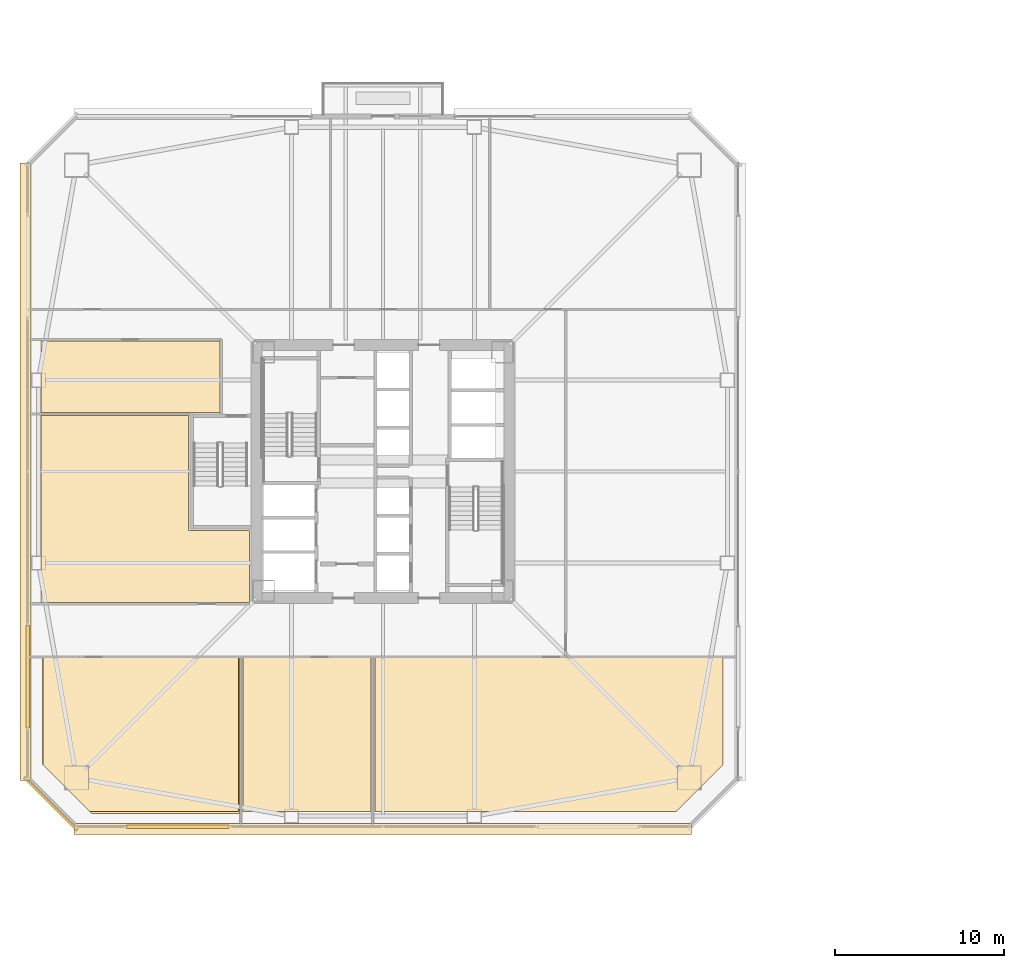
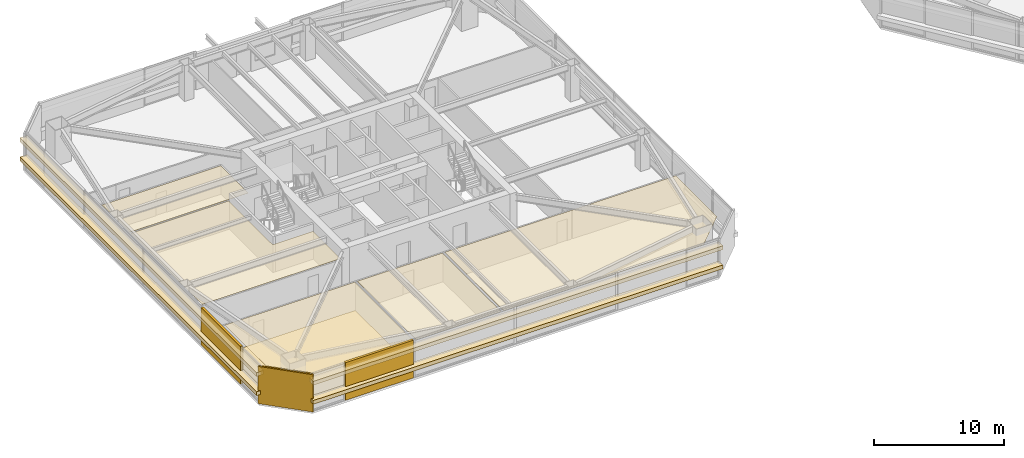
# One storey, part 43 of 48: 13 coverings.
"""IFC4 building model written with IfcOpenShell, lengths in metres."""

import ifcopenshell
import ifcopenshell.guid

model = None  # the IFC model being written
_history = None  # IfcOwnerHistory: only IFC2X3 demands one
_inside = {}  # id of a spatial element -> (the spatial element, [elements in it])
_under = {}  # id of a project, library or spatial element -> (it, [spatial elements below it])
_declared = {}  # id of a project -> (the project, [libraries it declares])
_typed = {}  # id of a type object -> (the type object, [elements of that type])
_made_of = {}  # id of a material, layer set ... -> (it, [elements and type objects made of it])


def new_model(schema):
    """Start an empty IFC model of exactly this schema.

    Asked for "IFC4X3", IfcOpenShell would pick the latest addendum, in which some entities
    have other attributes; the version numbers below select the first issue.
    IFC2X3 requires an IfcOwnerHistory on every rooted entity: one is made here for all.
    """
    global model, _history
    if schema == "IFC4X3":
        model = ifcopenshell.file(schema_version=(4, 3, 0, 0))
    else:
        model = ifcopenshell.file(schema=schema)
    _inside.clear()
    _under.clear()
    _declared.clear()
    _typed.clear()
    _made_of.clear()
    _history = None
    if model.schema == "IFC2X3":
        org = make("IfcOrganization", Name="unknown")
        user = make(
            "IfcPersonAndOrganization",
            ThePerson=make("IfcPerson", FamilyName="unknown"),
            TheOrganization=org,
        )
        app = make(
            "IfcApplication",
            ApplicationDeveloper=org,
            Version="unknown",
            ApplicationFullName="unknown",
            ApplicationIdentifier="unknown",
        )
        _history = make(
            "IfcOwnerHistory",
            OwningUser=user,
            OwningApplication=app,
            ChangeAction="ADDED",
            CreationDate=0,
        )
    return model


def make(cls, **values):
    """One entity of the class cls with the attributes given. An attribute that is None is left unset."""
    return model.create_entity(
        cls, **{name: value for name, value in values.items() if value is not None}
    )


def rooted(cls, **values):
    """An entity with a GlobalId (a new one), such as an element, a storey or a relation."""
    return make(cls, GlobalId=ifcopenshell.guid.new(), OwnerHistory=_history, **values)


def si_unit(unit_type, name, prefix=None):
    """IfcSIUnit, for example si_unit("LENGTHUNIT", "METRE", prefix="MILLI")."""
    return make("IfcSIUnit", UnitType=unit_type, Prefix=prefix, Name=name)


def assignment(units):
    """IfcUnitAssignment: the units of a project."""
    return None if units is None else make("IfcUnitAssignment", Units=units)


def point(xyz):
    """IfcCartesianPoint."""
    return None if xyz is None else make("IfcCartesianPoint", Coordinates=xyz)


def direction(xyz):
    """IfcDirection."""
    return None if xyz is None else make("IfcDirection", DirectionRatios=xyz)


def frame(location, z_axis=None, x_axis=None):
    """IfcAxis2Placement3D, a coordinate frame: its origin and axes. An axis left out is left unset."""
    return make(
        "IfcAxis2Placement3D",
        Location=point(location),
        Axis=direction(z_axis),
        RefDirection=direction(x_axis),
    )


def frame_2d(location, x_axis=None):
    """IfcAxis2Placement2D, a coordinate frame in the plane: its origin and x axis."""
    return make(
        "IfcAxis2Placement2D", Location=point(location), RefDirection=direction(x_axis)
    )


def origin():
    """The frame at (0, 0, 0) with its axes left unset."""
    return frame((0.0, 0.0, 0.0))


def origin_2d():
    """The frame at (0, 0) in the plane with its x axis left unset."""
    return frame_2d((0.0, 0.0))


def place(relative_to, where):
    """IfcLocalPlacement: puts the frame where relative to a parent placement (None: the world)."""
    return make(
        "IfcLocalPlacement", PlacementRelTo=relative_to, RelativePlacement=where
    )


def context(
    kind, dimensions, precision=None, world=None, true_north=None, identifier=None
):
    """IfcGeometricRepresentationContext, for example the 3D "Model" context."""
    return make(
        "IfcGeometricRepresentationContext",
        ContextIdentifier=identifier,
        ContextType=kind,
        CoordinateSpaceDimension=dimensions,
        Precision=precision,
        WorldCoordinateSystem=world,
        TrueNorth=true_north,
    )


def subcontext(parent, identifier, kind, view, scale=None):
    """IfcGeometricRepresentationSubContext, for example "Body" below "Model"."""
    return make(
        "IfcGeometricRepresentationSubContext",
        ContextIdentifier=identifier,
        ContextType=kind,
        ParentContext=parent,
        TargetScale=scale,
        TargetView=view,
    )


def project(units=None, contexts=None):
    """IfcProject with its units and contexts."""
    return rooted(
        "IfcProject",
        Name="project",
        RepresentationContexts=contexts,
        UnitsInContext=assignment(units),
    )


def spatial(cls, under=None, at=None, **own):
    """A site, building, storey or space (cls), placed at a placement, below another one or the project."""
    s = rooted(cls, ObjectPlacement=at, **own)
    if under is not None:
        _under.setdefault(under.id(), (under, []))[1].append(s)
    return s


def polyline(points):
    """IfcPolyline through the points."""
    return make("IfcPolyline", Points=[point(p) for p in points])


def profile(cls, at=None, kind="AREA", **sizes):
    """A parametric profile (cls). Its sizes go by their IFC names, for example OverallWidth=200.0."""
    return make(cls, ProfileType=kind, Position=at, **sizes)


def rectangle(**sizes):
    """IfcRectangleProfileDef."""
    return profile("IfcRectangleProfileDef", **sizes)


def outline(outer, holes=None, kind="AREA"):
    """IfcArbitraryClosedProfileDef: a profile drawn as a closed curve; with holes, ...WithVoids."""
    if holes is None:
        return make("IfcArbitraryClosedProfileDef", ProfileType=kind, OuterCurve=outer)
    return make(
        "IfcArbitraryProfileDefWithVoids",
        ProfileType=kind,
        OuterCurve=outer,
        InnerCurves=holes,
    )


def extrude(swept, where, along, depth):
    """IfcExtrudedAreaSolid: the profile swept, set in the frame where, extruded along a direction by depth."""
    return make(
        "IfcExtrudedAreaSolid",
        SweptArea=swept,
        Position=where,
        ExtrudedDirection=direction(along),
        Depth=depth,
    )


def shape(context_of_items, identifier, shape_type, items):
    """IfcShapeRepresentation: the items that make up one representation, for example the "Body"."""
    return make(
        "IfcShapeRepresentation",
        ContextOfItems=context_of_items,
        RepresentationIdentifier=identifier,
        RepresentationType=shape_type,
        Items=items,
    )


def material(Name=None, Category=None):
    """IfcMaterial."""
    return make("IfcMaterial", Name=Name, Category=Category)


def layer(
    of_material, thickness, ventilated=None, Name=None, Category=None, Priority=None
):
    """IfcMaterialLayer: one layer of a wall or slab, of a material (None: an air gap)."""
    return make(
        "IfcMaterialLayer",
        Material=of_material,
        LayerThickness=thickness,
        IsVentilated=ventilated,
        Name=Name,
        Category=Category,
        Priority=Priority,
    )


def layer_set(layers, Name=None):
    """IfcMaterialLayerSet."""
    return make("IfcMaterialLayerSet", MaterialLayers=layers, LayerSetName=Name)


def made_of(thing, what):
    """Note that an element or type object is made of a material, layer set ...; save() writes the relation."""
    if what is not None:
        _made_of.setdefault(what.id(), (what, []))[1].append(thing)
    return thing


def type_object(cls, material=None, **own):
    """A type object (cls), such as IfcWallType, which elements share."""
    return made_of(rooted(cls, **own), material)


def element(
    cls,
    number,
    at=None,
    inside=None,
    cuts=None,
    type_object=None,
    material=None,
    context=None,
    identifier="Body",
    shape_type=None,
    held_by="IfcProductDefinitionShape",
    body=None,
    shapes=None,
    **own,
):
    """One element of the class cls, such as IfcWall. Its Tag is "e" and its number.

    at: its placement. inside: the storey or other place that contains it. cuts: it is an
    opening in that element (IfcRelVoidsElement). A single representation is given by context,
    identifier, shape_type and body (its items); several are given by shapes. held_by: the class
    of the entity that holds the representations. save() writes the other relations.
    """
    e = rooted(cls, Tag="e%d" % number, ObjectPlacement=at, **own)
    if body is not None:
        shapes = [shape(context, identifier, shape_type, body)]
    if shapes is not None:
        e.Representation = make(held_by, Representations=shapes)
    if inside is not None:
        _inside.setdefault(inside.id(), (inside, []))[1].append(e)
    if cuts is not None:
        rooted(
            "IfcRelVoidsElement", RelatingBuildingElement=cuts, RelatedOpeningElement=e
        )
    if type_object is not None:
        _typed.setdefault(type_object.id(), (type_object, []))[1].append(e)
    return made_of(e, material)


def aggregate(whole, parts):
    """IfcRelAggregates: a whole, such as a stair, and the parts it consists of."""
    return rooted("IfcRelAggregates", RelatingObject=whole, RelatedObjects=parts)


def save(model, path):
    """Write the relations noted so far, then the file.

    IfcRelAggregates (storeys below a building ...), IfcRelContainedInSpatialStructure (elements
    in a storey), IfcRelDefinesByType, IfcRelAssociatesMaterial and IfcRelDeclares: one each for
    every whole, place, type object, material and project.
    """
    for whole, parts in _under.values():
        aggregate(whole, parts)
    for where, things in _inside.values():
        rooted(
            "IfcRelContainedInSpatialStructure",
            RelatedElements=things,
            RelatingStructure=where,
        )
    for kind, things in _typed.values():
        rooted("IfcRelDefinesByType", RelatedObjects=things, RelatingType=kind)
    for what, things in _made_of.values():
        rooted("IfcRelAssociatesMaterial", RelatedObjects=things, RelatingMaterial=what)
    for by, libraries in _declared.values():
        rooted("IfcRelDeclares", RelatingContext=by, RelatedDefinitions=libraries)
    model.write(path)


model = new_model("IFC4")

# Units and contexts
model_context = context("Model", 3, precision=1e-05, world=origin(), true_north=direction((0.0, 1.0)))
body_context = subcontext(model_context, "Body", "Model", "MODEL_VIEW")
ifc_project = project(units=[si_unit("LENGTHUNIT", "METRE"), si_unit("AREAUNIT", "SQUARE_METRE"), si_unit("VOLUMEUNIT", "CUBIC_METRE"), si_unit("PLANEANGLEUNIT", "RADIAN"), si_unit("MASSUNIT", "GRAM", prefix="KILO")], contexts=[model_context])

# Site, building, storey
site_placement = place(None, origin())
site = spatial("IfcSite", under=ifc_project, at=site_placement, CompositionType="ELEMENT")
building_placement = place(site_placement, origin())
building = spatial("IfcBuilding", under=site, at=building_placement, Name="Tashvorn Skyway Center", CompositionType="ELEMENT")
storey_placement = place(building_placement, frame((0.0, 0.0, 77.85009765625)))
storey = spatial("IfcBuildingStorey", under=building, at=storey_placement, Name="L20", CompositionType="ELEMENT", Elevation=77.85009765625)

# Coverings
ifc_material_1 = material(Name="Precast concrete C40/50", Category="concrete")
ifc_layer_1 = layer(ifc_material_1, 0.199951171875)
ifc_layer_set_1 = layer_set([ifc_layer_1], Name="Precast concrete C40/50")
covering_type_1 = type_object("IfcCoveringType", Name="COV-BRACE-CLAD", PredefinedType="CLADDING", material=ifc_layer_set_1)
for number, where, z_axis, x_axis, name in (
    (1, (29.8798828125, 11.02001953125, 0.0), (0.0, 0.0, 1.0), (-1.0, 0.0, 0.0), "Tower 1 L20 South Unitised Curtain Wall Mega-Brace Cladding Band 2"),
    (2, (21.02001953125, 19.8798828125, 0.0), (0.0, 0.0, 1.0), (0.0, 1.0, 0.0), "Tower 1 L20 West Unitised Curtain Wall Mega-Brace Cladding Band 1"),
):
    element("IfcCovering", number, at=place(storey_placement, frame(where, z_axis=z_axis, x_axis=x_axis)), inside=storey, type_object=covering_type_1, Name=name, PredefinedType="CLADDING", context=body_context, shape_type="SweptSolid", body=[
        extrude(rectangle(XDim=6.06005859375, YDim=0.199951171875, at=origin_2d()), origin(), (0.0, 0.0, 1.0), 3.550048828125),
    ])
ifc_material_2 = material(Name="Mineral-fibre acoustic ceiling tile on suspended grid")
ifc_layer_2 = layer(ifc_material_2, 0.02001953125)
ifc_layer_set_2 = layer_set([ifc_layer_2], Name="Mineral-fibre acoustic ceiling tile on suspended grid")
covering_type_2 = type_object("IfcCoveringType", Name="COV-CEIL-20", PredefinedType="CEILING", material=ifc_layer_set_2)
covering_1_placement = place(storey_placement, frame((0.0, 0.0, 2.682861328125)))
element("IfcCovering", 3, at=covering_1_placement, inside=storey, type_object=covering_type_2, Name="Tower 1 L20 Operations Control Room Acoustic Ceiling", PredefinedType="CEILING", context=body_context, shape_type="SweptSolid", body=[
    extrude(outline(polyline([(21.919921875, 21.010009765625), (33.47998046875, 21.010009765625), (33.47998046875, 11.919921875), (24.679931640625, 11.919921875), (21.919921875, 14.679931640625), (21.919921875, 21.010009765625)])), origin(), (0.0, 0.0, 1.0), 0.02001953125),
])
covering_2_placement = place(storey_placement, frame((0.0, 0.0, 2.682861328125)))
element("IfcCovering", 4, at=covering_2_placement, inside=storey, type_object=covering_type_2, Name="Tower 1 L20 Corporate Office Acoustic Ceiling", PredefinedType="CEILING", context=body_context, shape_type="SweptSolid", body=[
    extrude(outline(polyline([(33.719970703125, 21.010009765625), (41.280029296875, 21.010009765625), (41.280029296875, 11.919921875), (33.719970703125, 11.919921875), (33.719970703125, 21.010009765625)])), origin(), (0.0, 0.0, 1.0), 0.02001953125),
])
covering_3_placement = place(storey_placement, frame((0.0, 0.0, 2.682861328125)))
element("IfcCovering", 5, at=covering_3_placement, inside=storey, type_object=covering_type_2, Name="Tower 1 L20 Corporate Office Acoustic Ceiling", PredefinedType="CEILING", context=body_context, shape_type="SweptSolid", body=[
    extrude(outline(polyline([(41.52001953125, 11.919921875), (41.52001953125, 21.010009765625), (62.080078125, 21.010009765625), (62.080078125, 14.679931640625), (59.320068359375, 11.919921875), (41.52001953125, 11.919921875)])), origin(), (0.0, 0.0, 1.0), 0.02001953125),
])
covering_4_placement = place(storey_placement, frame((0.0, 0.0, 2.682861328125)))
element("IfcCovering", 6, at=covering_4_placement, inside=storey, type_object=covering_type_2, Name="Tower 1 L20 Boardroom Acoustic Ceiling", PredefinedType="CEILING", context=body_context, shape_type="SweptSolid", body=[
    extrude(outline(polyline([(32.3701171875, 39.719970703125), (32.3701171875, 35.47998046875), (21.800048828125, 35.47998046875), (21.800048828125, 39.719970703125), (32.3701171875, 39.719970703125)])), origin(), (0.0, 0.0, 1.0), 0.02001953125),
])
covering_5_placement = place(storey_placement, frame((0.0, 0.0, 2.682861328125)))
element("IfcCovering", 7, at=covering_5_placement, inside=storey, type_object=covering_type_2, Name="Tower 1 L20 Public Restroom Acoustic Ceiling", PredefinedType="CEILING", context=body_context, shape_type="SweptSolid", body=[
    extrude(outline(polyline([(34.1201171875, 24.280029296875), (21.800048828125, 24.280029296875), (21.800048828125, 28.52001953125), (21.800048828125, 35.320068359375), (30.52001953125, 35.320068359375), (30.52001953125, 28.52001953125), (34.1201171875, 28.52001953125), (34.1201171875, 24.280029296875)])), origin(), (0.0, 0.0, 1.0), 0.02001953125),
])
ifc_material_3 = material(Name="Polished Mojave desert-aggregate terrazzo and cover plate")
ifc_layer_3 = layer(ifc_material_3, 0.0400390625)
ifc_layer_set_3 = layer_set([ifc_layer_3], Name="Polished Mojave desert-aggregate terrazzo and cover plate")
covering_type_3 = type_object("IfcCoveringType", Name="COV-FLR-40", PredefinedType="FLOORING", material=ifc_layer_set_3)
covering_6_placement = place(storey_placement, origin())
element("IfcCovering", 8, at=covering_6_placement, inside=storey, type_object=covering_type_3, Name="Tower 1 L20 Operations Control Room Finish Flooring", PredefinedType="FLOORING", context=body_context, shape_type="SweptSolid", body=[
    extrude(outline(polyline([(24.800048828125, 11.800048828125), (21.8798828125, 14.719970703125), (21.8798828125, 20.969970703125), (33.52001953125, 20.969970703125), (33.52001953125, 11.800048828125), (24.800048828125, 11.800048828125)])), origin(), (0.0, 0.0, 1.0), 0.039794921875),
])
ifc_material_4 = material(Name="Perforated ceramic-coated bronze aluminium solar screen", Category="aluminium")
ifc_layer_4 = layer(ifc_material_4, 0.85009765625)
ifc_layer_set_4 = layer_set([ifc_layer_4], Name="Perforated ceramic-coated bronze aluminium solar screen")
covering_type_4 = type_object("IfcCoveringType", Name="COV-SOLAR-BAND", PredefinedType="CLADDING", material=ifc_layer_set_4)
for number, where, z_axis, x_axis, name in (
    (9, (42.0, 10.8798828125, 0.919921875), (0.0, 0.0, 1.0), (-1.0, 0.0, 0.0), "L20 Perforated Ceramic-Metal Solar Screen Louvre Band South 1"),
    (10, (42.0, 10.8798828125, 2.7197265625), (0.0, 0.0, 1.0), (-1.0, 0.0, 0.0), "L20 Perforated Ceramic-Metal Solar Screen Louvre Band South 2"),
    (11, (20.8798828125, 32.0, 0.919921875), (0.0, 0.0, 1.0), (0.0, 1.0, 0.0), "L20 Perforated Ceramic-Metal Solar Screen Louvre Band West 1"),
    (12, (20.8798828125, 32.0, 2.7197265625), (0.0, 0.0, 1.0), (0.0, 1.0, 0.0), "L20 Perforated Ceramic-Metal Solar Screen Louvre Band West 2"),
):
    element("IfcCovering", number, at=place(storey_placement, frame(where, z_axis=z_axis, x_axis=x_axis)), inside=storey, type_object=covering_type_4, Name=name, PredefinedType="CLADDING", context=body_context, shape_type="SweptSolid", body=[
        extrude(rectangle(XDim=36.47998046875, YDim=0.639892578125, at=origin_2d()), origin(), (0.0, 0.0, 1.0), 0.360107421875),
    ])
ifc_layer_5 = layer(ifc_material_1, 0.35009765625)
ifc_layer_set_5 = layer_set([ifc_layer_5], Name="Precast concrete C40/50")
covering_type_5 = type_object("IfcCoveringType", Name="COV-STONE-TRIM", PredefinedType="CLADDING", material=ifc_layer_set_5)
covering_7_placement = place(storey_placement, frame((22.3798828125, 12.3798828125, 0.02001953125), z_axis=(0.0, 0.0, 1.0), x_axis=(-0.707106781187, 0.707106781187, 0.0)))
element("IfcCovering", 13, at=covering_7_placement, inside=storey, type_object=covering_type_5, Name="Tower 1 L20 SW Mojave Limestone Corner Quoin", PredefinedType="CLADDING", context=body_context, shape_type="SweptSolid", body=[
    extrude(rectangle(XDim=4.402587890625, YDim=0.139892578125, at=origin_2d()), origin(), (0.0, 0.0, 1.0), 3.510009765625),
])

save(model, "model.ifc")
